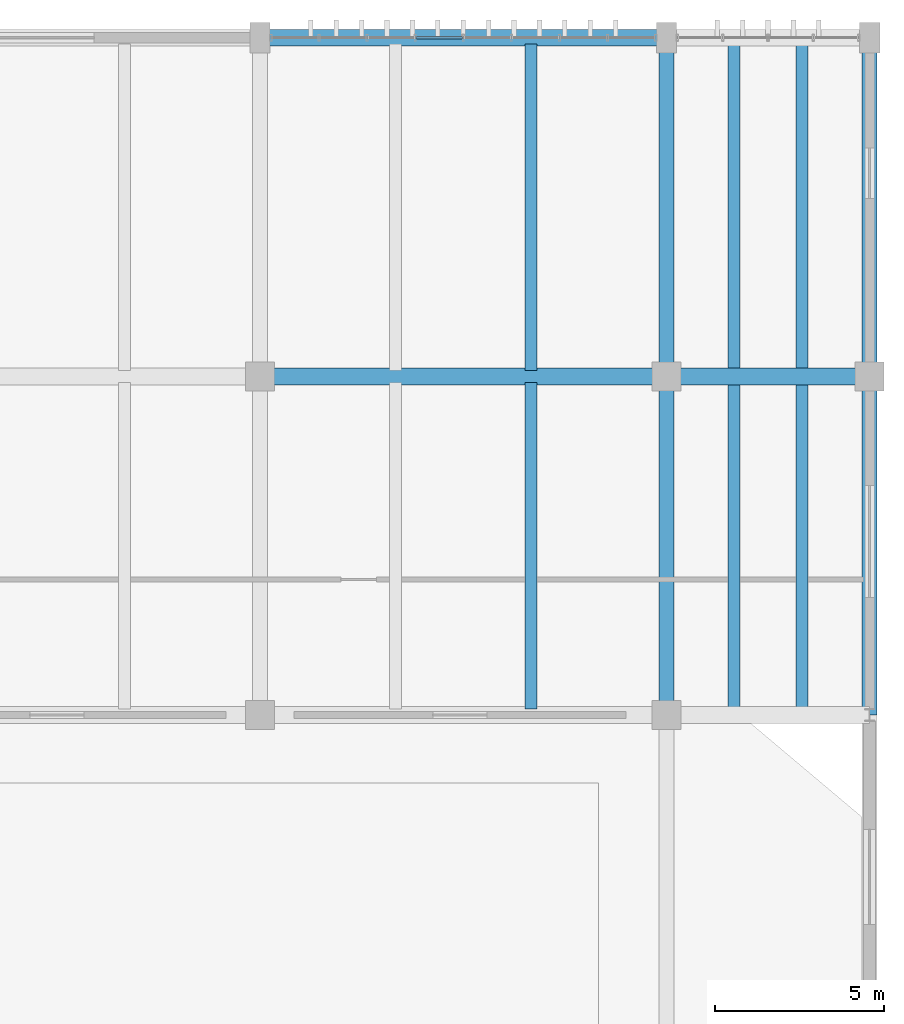
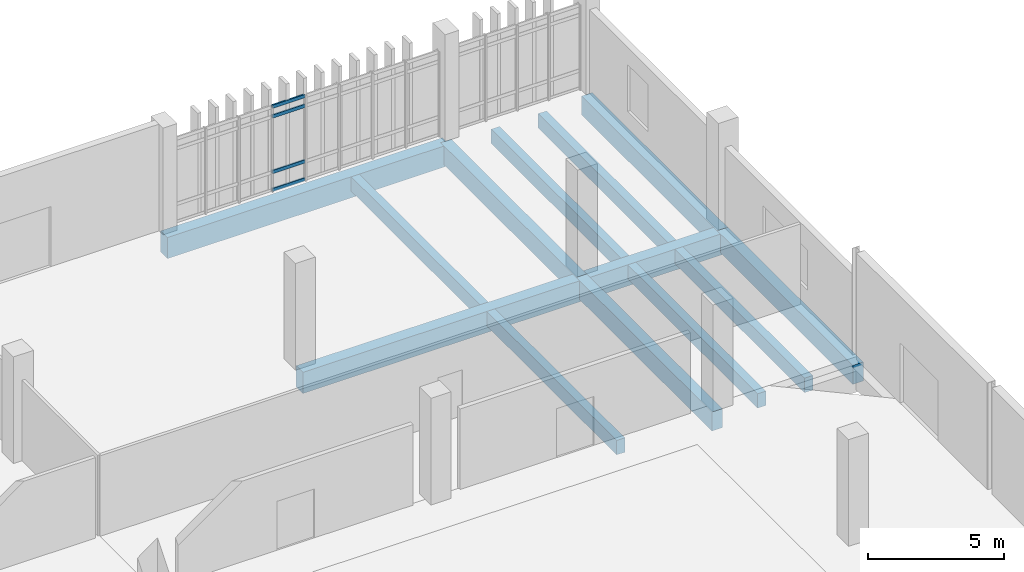
# One storey, part 58 of 87: 13 beams, 4 members, 1 element without a shape of its own.
"""IFC4 building model written with IfcOpenShell, lengths in metres."""

from ifc_helpers import new_model, si_unit, direction, frame, origin, origin_2d, place, context, subcontext, project, spatial, rectangle, hollow_rectangle, extrude, material, layer, layer_set, material_profile, profile_set, type_object, element, aggregate, save


model = new_model("IFC4")

# Units and contexts
model_context = context("Model", 3, precision=1e-05, world=origin(), true_north=direction((0.0, 1.0)))
body_context = subcontext(model_context, "Body", "Model", "MODEL_VIEW")
ifc_project = project(units=[si_unit("LENGTHUNIT", "METRE"), si_unit("AREAUNIT", "SQUARE_METRE"), si_unit("VOLUMEUNIT", "CUBIC_METRE"), si_unit("PLANEANGLEUNIT", "RADIAN"), si_unit("MASSUNIT", "GRAM", prefix="KILO")], contexts=[model_context])

# Site, building, storey
site_placement = place(None, origin())
site = spatial("IfcSite", under=ifc_project, at=site_placement, CompositionType="ELEMENT")
building_placement = place(site_placement, origin())
building = spatial("IfcBuilding", under=site, at=building_placement, Name="Mersad Railyard Sports Hall", CompositionType="ELEMENT")
storey_placement = place(building_placement, origin())
storey = spatial("IfcBuildingStorey", under=building, at=storey_placement, Name="L00", CompositionType="ELEMENT", Elevation=0.0)

# Curtain wall, members
ifc_material_1 = material(Name="Aluminium 6063-T6", Category="aluminium")
ifc_layer = layer(ifc_material_1, 0.199951171875)
ifc_layer_set = layer_set([ifc_layer], Name="Aluminium 6063-T6")
curtain_wall_type = type_object("IfcCurtainWallType", Name="ARC-CW-CW28", PredefinedType="USERDEFINED", material=ifc_layer_set)
curtain_wall_placement = place(storey_placement, origin())
curtain_wall = element("IfcCurtainWall", 1, at=curtain_wall_placement, inside=storey, type_object=curtain_wall_type, Name="Curtain wall CW28-0088", ObjectType="CURTAIN WALL", PredefinedType="USERDEFINED")
ifc_material_profile_1 = material_profile(ifc_material_1, hollow_rectangle(XDim=0.06494140625, YDim=0.14990234375, WallThickness=0.00439453125, at=origin_2d()), Name="AL TRANSOM 65x150x4.5")
ifc_profile_set_1 = profile_set([ifc_material_profile_1], Name="Aluminium 6063-T6")
member_type = type_object("IfcMemberType", Name="ARC-CW-TRN02", PredefinedType="USERDEFINED", material=ifc_profile_set_1)
member_1_placement = place(storey_placement, frame((165.60009765625, 115.0, 0.0400390625), z_axis=(1.0, 0.0, 0.0), x_axis=(0.0, 1.0, 0.0)))
member_1 = element("IfcMember", 2, at=member_1_placement, type_object=member_type, Name="CW28 Transom 1-4", ObjectType="TRANSOM", PredefinedType="USERDEFINED", context=body_context, shape_type="SweptSolid", body=[
    extrude(hollow_rectangle(XDim=0.06494140625, YDim=0.14990234375, WallThickness=0.00439453125, at=origin_2d()), origin(), (0.0, 0.0, 1.0), 1.3798828125),
])
member_2_placement = place(storey_placement, frame((165.60009765625, 115.0, 0.85009765625), z_axis=(1.0, 0.0, 0.0), x_axis=(0.0, 1.0, 0.0)))
member_2 = element("IfcMember", 3, at=member_2_placement, type_object=member_type, Name="CW28 Transom 2-4", ObjectType="TRANSOM", PredefinedType="USERDEFINED", context=body_context, shape_type="SweptSolid", body=[
    extrude(hollow_rectangle(XDim=0.06494140625, YDim=0.14990234375, WallThickness=0.00439453125, at=origin_2d()), origin(), (0.0, 0.0, 1.0), 1.3798828125),
])
member_3_placement = place(storey_placement, frame((165.60009765625, 115.0, 3.35009765625), z_axis=(1.0, 0.0, 0.0), x_axis=(0.0, 1.0, 0.0)))
member_3 = element("IfcMember", 4, at=member_3_placement, type_object=member_type, Name="CW28 Transom 3-4", ObjectType="TRANSOM", PredefinedType="USERDEFINED", context=body_context, shape_type="SweptSolid", body=[
    extrude(hollow_rectangle(XDim=0.06494140625, YDim=0.14990234375, WallThickness=0.00439453125, at=origin_2d()), origin(), (0.0, 0.0, 1.0), 1.3798828125),
])
member_4_placement = place(storey_placement, frame((165.60009765625, 115.0, 3.7900390625), z_axis=(1.0, 0.0, 0.0), x_axis=(0.0, 1.0, 0.0)))
member_4 = element("IfcMember", 5, at=member_4_placement, type_object=member_type, Name="CW28 Transom 4-4", ObjectType="TRANSOM", PredefinedType="USERDEFINED", context=body_context, shape_type="SweptSolid", body=[
    extrude(hollow_rectangle(XDim=0.06494140625, YDim=0.14990234375, WallThickness=0.00439453125, at=origin_2d()), origin(), (0.0, 0.0, 1.0), 1.3798828125),
])
aggregate(curtain_wall, [member_1, member_2, member_3, member_4])

# Beams
ifc_material_2 = material(Name="Concrete C40/50", Category="concrete")
ifc_material_profile_2 = material_profile(ifc_material_2, rectangle(XDim=0.449951171875, YDim=0.85009765625, at=origin_2d()), Name="RC 450x850")
ifc_profile_set_2 = profile_set([ifc_material_profile_2], Name="Concrete C40/50")
beam_type_1 = type_object("IfcBeamType", Name="STR-BM-B02", PredefinedType="BEAM", material=ifc_profile_set_2)
for number, where, z_axis, x_axis, name in (
    (6, (173.0, 95.0, -0.77490234375), (0.0, 1.0, 0.0), (-1.0, 0.0, 0.0), "Beam B02-0219"),
    (7, (173.0, 105.0, -0.77490234375), (0.0, 1.0, 0.0), (-1.0, 0.0, 0.0), "Beam B02-0220"),
    (8, (179.0, 95.0, -0.77490234375), (0.0, 1.0, 0.0), (-1.0, 0.0, 0.0), "Beam B02-0221"),
    (9, (179.0, 105.0, -0.77490234375), (0.0, 1.0, 0.0), (-1.0, 0.0, 0.0), "Beam B02-0222"),
):
    element("IfcBeam", number, at=place(storey_placement, frame(where, z_axis=z_axis, x_axis=x_axis)), inside=storey, type_object=beam_type_1, Name=name, PredefinedType="BEAM", context=body_context, shape_type="SweptSolid", body=[
        extrude(rectangle(XDim=0.449951171875, YDim=0.85009765625, at=origin_2d()), origin(), (0.0, 0.0, 1.0), 10.0),
    ])
ifc_material_3 = material(Name="Concrete C50/60", Category="concrete")
ifc_material_profile_3 = material_profile(ifc_material_3, rectangle(XDim=0.5, YDim=0.949951171875, at=origin_2d()), Name="RC 500x950")
ifc_profile_set_3 = profile_set([ifc_material_profile_3], Name="Concrete C50/60")
beam_type_2 = type_object("IfcBeamType", Name="STR-BM-B03", PredefinedType="BEAM", material=ifc_profile_set_3)
beam_1_placement = place(storey_placement, frame((161.0, 105.0, -0.824951171875), z_axis=(1.0, 0.0, 0.0), x_axis=(0.0, 1.0, 0.0)))
element("IfcBeam", 10, at=beam_1_placement, inside=storey, type_object=beam_type_2, Name="Beam B03-0206", PredefinedType="BEAM", context=body_context, shape_type="SweptSolid", body=[
    extrude(rectangle(XDim=0.5, YDim=0.949951171875, at=origin_2d()), origin(), (0.0, 0.0, 1.0), 12.0),
])
beam_2_placement = place(storey_placement, frame((173.0, 105.0, -0.824951171875), z_axis=(1.0, 0.0, 0.0), x_axis=(0.0, 1.0, 0.0)))
element("IfcBeam", 11, at=beam_2_placement, inside=storey, type_object=beam_type_2, Name="Beam B03-0207", PredefinedType="BEAM", context=body_context, shape_type="SweptSolid", body=[
    extrude(rectangle(XDim=0.5, YDim=0.949951171875, at=origin_2d()), origin(), (0.0, 0.0, 1.0), 6.0),
])
beam_3_placement = place(storey_placement, frame((161.0, 115.0, -0.824951171875), z_axis=(1.0, 0.0, 0.0), x_axis=(0.0, 1.0, 0.0)))
element("IfcBeam", 12, at=beam_3_placement, inside=storey, type_object=beam_type_2, Name="Beam B03-0211", PredefinedType="BEAM", context=body_context, shape_type="SweptSolid", body=[
    extrude(rectangle(XDim=0.5, YDim=0.949951171875, at=origin_2d()), origin(), (0.0, 0.0, 1.0), 12.0),
])
ifc_material_profile_4 = material_profile(ifc_material_2, rectangle(XDim=0.35009765625, YDim=0.64990234375, at=origin_2d()), Name="RC 350x650")
ifc_profile_set_4 = profile_set([ifc_material_profile_4], Name="Concrete C40/50")
beam_type_3 = type_object("IfcBeamType", Name="STR-BM-J01", PredefinedType="JOIST", material=ifc_profile_set_4)
for number, where, z_axis, x_axis, name in (
    (13, (169.0, 95.179931640625, -0.675048828125), (0.0, 1.0, 0.0), (-1.0, 0.0, 0.0), "Beam J01-0277"),
    (14, (169.0, 105.179931640625, -0.675048828125), (0.0, 1.0, 0.0), (-1.0, 0.0, 0.0), "Beam J01-0279"),
    (15, (175.0, 95.179931640625, -0.675048828125), (0.0, 1.0, 0.0), (-1.0, 0.0, 0.0), "Beam J01-0280"),
    (16, (177.0, 95.179931640625, -0.675048828125), (0.0, 1.0, 0.0), (-1.0, 0.0, 0.0), "Beam J01-0281"),
    (17, (175.0, 105.179931640625, -0.675048828125), (0.0, 1.0, 0.0), (-1.0, 0.0, 0.0), "Beam J01-0282"),
    (18, (177.0, 105.179931640625, -0.675048828125), (0.0, 1.0, 0.0), (-1.0, 0.0, 0.0), "Beam J01-0283"),
):
    element("IfcBeam", number, at=place(storey_placement, frame(where, z_axis=z_axis, x_axis=x_axis)), inside=storey, type_object=beam_type_3, Name=name, PredefinedType="JOIST", context=body_context, shape_type="SweptSolid", body=[
        extrude(rectangle(XDim=0.35009765625, YDim=0.64990234375, at=origin_2d()), origin(), (0.0, 0.0, 1.0), 9.64013671875),
    ])

save(model, "model.ifc")
